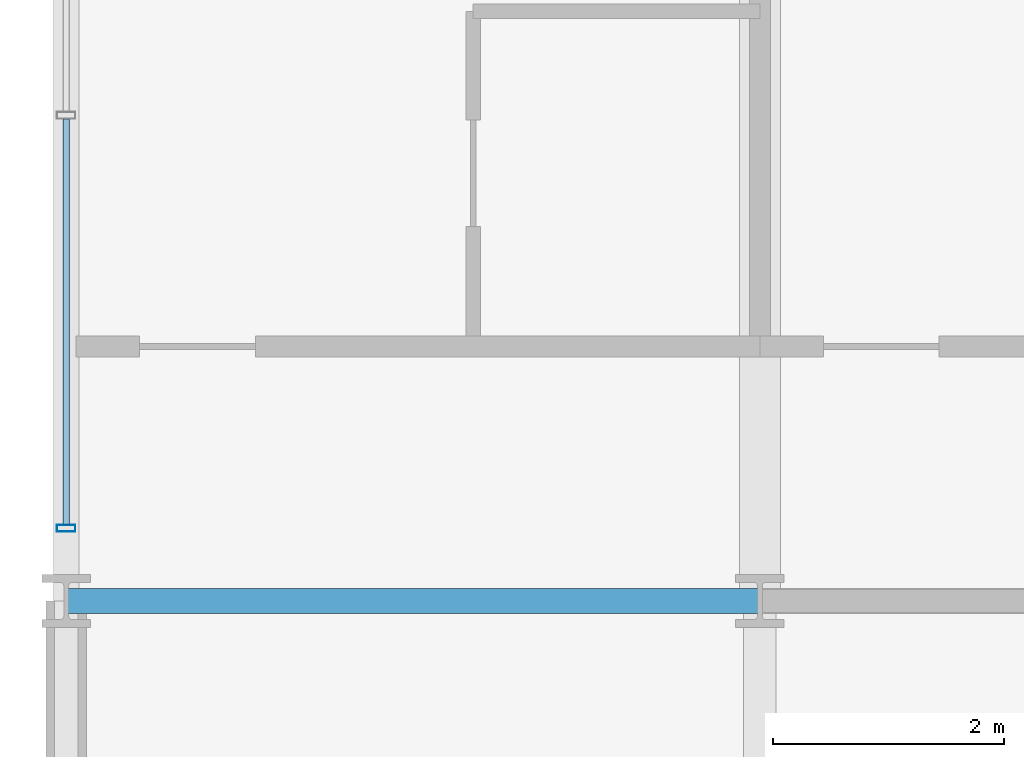
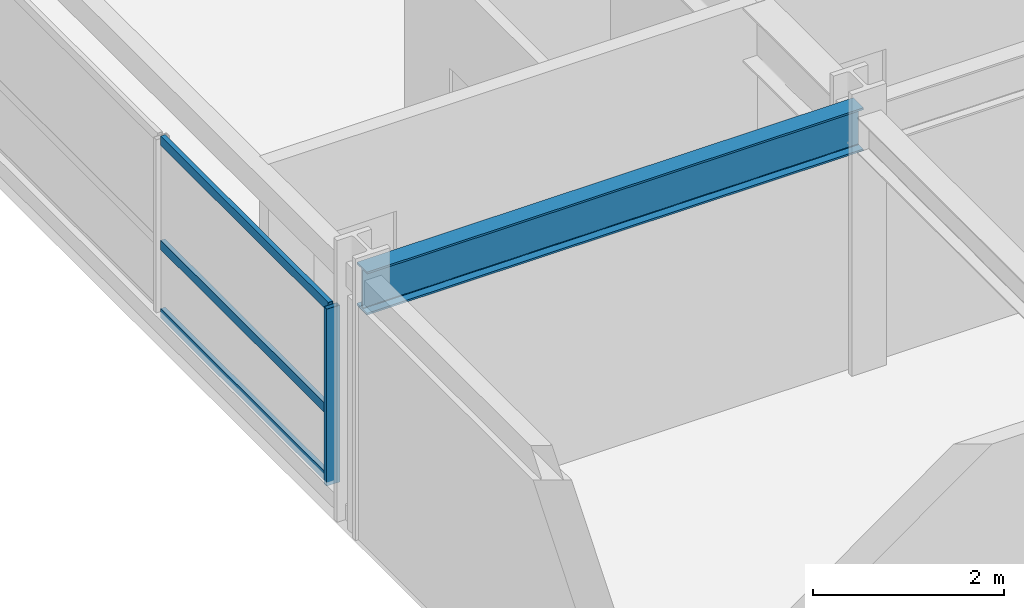
# One storey, part 6 of 26: 4 members, 1 beam, 1 element without a shape of its own.
"""IFC4 building model written with IfcOpenShell, lengths in metres."""

from ifc_helpers import new_model, si_unit, direction, frame, origin, origin_2d, place, context, subcontext, project, spatial, hollow_rectangle, i_section, extrude, material, material_profile, profile_set, type_object, element, aggregate, save


model = new_model("IFC4")

# Units and contexts
model_context = context("Model", 3, precision=1e-05, world=origin(), true_north=direction((0.0, 1.0)))
body_context = subcontext(model_context, "Body", "Model", "MODEL_VIEW")
ifc_project = project(units=[si_unit("LENGTHUNIT", "METRE"), si_unit("AREAUNIT", "SQUARE_METRE"), si_unit("VOLUMEUNIT", "CUBIC_METRE"), si_unit("PLANEANGLEUNIT", "RADIAN"), si_unit("MASSUNIT", "GRAM", prefix="KILO")], contexts=[model_context])

# Site, building, storey
site_placement = place(None, origin())
site = spatial("IfcSite", under=ifc_project, at=site_placement, CompositionType="ELEMENT")
building_placement = place(site_placement, origin())
building = spatial("IfcBuilding", under=site, at=building_placement, Name="Kaldorvane Square Convention Centre", CompositionType="ELEMENT")
storey_placement = place(building_placement, frame((0.0, 0.0, 45.600006103515625)))
storey = spatial("IfcBuildingStorey", under=building, at=storey_placement, Name="L10", CompositionType="ELEMENT", Elevation=45.600006103515625)

# Beam
ifc_material_1 = material(Name="Steel ASTM A992 Gr. 50", Category="steel")
ifc_material_profile_1 = material_profile(ifc_material_1, i_section(OverallWidth=0.213897705078125, OverallDepth=0.549102783203125, WebThickness=0.0146942138671875, FlangeThickness=0.0236053466796875, FilletRadius=0.0126953125, at=origin_2d()), Name="W21X93")
ifc_profile_set_1 = profile_set([ifc_material_profile_1], Name="Steel ASTM A992 Gr. 50")
beam_type = type_object("IfcBeamType", Name="BM-GR-W21X93", PredefinedType="BEAM", material=ifc_profile_set_1)
beam_placement = place(storey_placement, frame((24.0, 105.0, 3.0114898681640625), z_axis=(1.0, 0.0, 0.0), x_axis=(0.0, 1.0, 0.0)))
element("IfcBeam", 1, at=beam_placement, inside=storey, type_object=beam_type, Name="Primary Girder (L10)", PredefinedType="BEAM", context=body_context, shape_type="SweptSolid", body=[
    extrude(i_section(OverallWidth=0.213897705078125, OverallDepth=0.549102783203125, WebThickness=0.0146942138671875, FlangeThickness=0.0236053466796875, FilletRadius=0.0126953125, at=origin_2d()), origin(), (0.0, 0.0, 1.0), 6.0),
])

# Curtain wall, members
ifc_material_2 = material(Name="Anodized Aluminum and Low-E Insulated Glazing", Category="aluminium")
curtain_wall_type = type_object("IfcCurtainWallType", Name="CW-UNI-HTL-B", PredefinedType="USERDEFINED", material=ifc_material_2)
curtain_wall_placement = place(storey_placement, origin())
curtain_wall = element("IfcCurtainWall", 2, at=curtain_wall_placement, inside=storey, type_object=curtain_wall_type, Name="Curtain Wall CW-11 (L10)", ObjectType="UNITISED GLAZING", PredefinedType="USERDEFINED")
ifc_material_profile_2 = material_profile(ifc_material_2, hollow_rectangle(XDim=0.05999755859375, YDim=0.160003662109375, WallThickness=0.003204345703125, at=origin_2d()), Name="CWM-160X60")
ifc_profile_set_2 = profile_set([ifc_material_profile_2], Name="Anodized Aluminum and Low-E Insulated Glazing")
member_type_1 = type_object("IfcMemberType", Name="CW-MUL-160", PredefinedType="MULLION", material=ifc_profile_set_2)
member_1_placement = place(storey_placement, frame((24.0, 105.6300048828125, 0.149993896484375), z_axis=(0.0, 0.0, 1.0), x_axis=(0.0, -1.0, 0.0)))
member_1 = element("IfcMember", 3, at=member_1_placement, type_object=member_type_1, Name="CW-11 mullion 4", PredefinedType="MULLION", context=body_context, shape_type="SweptSolid", body=[
    extrude(hollow_rectangle(XDim=0.05999755859375, YDim=0.160003662109375, WallThickness=0.003204345703125, at=origin_2d()), origin(), (0.0, 0.0, 1.0), 2.2599945068359375),
])
ifc_material_profile_3 = material_profile(ifc_material_2, hollow_rectangle(XDim=0.05499267578125, YDim=0.1199951171875, WallThickness=0.0030059814453125, at=origin_2d()), Name="CWT-120X55")
ifc_profile_set_3 = profile_set([ifc_material_profile_3], Name="Anodized Aluminum and Low-E Insulated Glazing")
member_type_2 = type_object("IfcMemberType", Name="CW-TRN-120", PredefinedType="USERDEFINED", material=ifc_profile_set_3)
member_2_placement = place(storey_placement, frame((24.0, 109.16999816894531, 0.177490234375), z_axis=(0.0, -1.0, 0.0), x_axis=(1.0, 0.0, 0.0)))
member_2 = element("IfcMember", 4, at=member_2_placement, type_object=member_type_2, Name="CW-11 transom 3.1", ObjectType="TRANSOM", PredefinedType="USERDEFINED", context=body_context, shape_type="SweptSolid", body=[
    extrude(hollow_rectangle(XDim=0.05499267578125, YDim=0.1199951171875, WallThickness=0.0030059814453125, at=origin_2d()), origin(), (0.0, 0.0, 1.0), 3.5099945068359375),
])
member_3_placement = place(storey_placement, frame((24.0, 109.16999816894531, 1.04998779296875), z_axis=(0.0, -1.0, 0.0), x_axis=(1.0, 0.0, 0.0)))
member_3 = element("IfcMember", 5, at=member_3_placement, type_object=member_type_2, Name="CW-11 transom 3.2", ObjectType="TRANSOM", PredefinedType="USERDEFINED", context=body_context, shape_type="SweptSolid", body=[
    extrude(hollow_rectangle(XDim=0.05499267578125, YDim=0.1199951171875, WallThickness=0.0030059814453125, at=origin_2d()), origin(), (0.0, 0.0, 1.0), 3.5099945068359375),
])
member_4_placement = place(storey_placement, frame((24.0, 109.16999816894531, 2.3824920654296875), z_axis=(0.0, -1.0, 0.0), x_axis=(1.0, 0.0, 0.0)))
member_4 = element("IfcMember", 6, at=member_4_placement, type_object=member_type_2, Name="CW-11 transom 3.3", ObjectType="TRANSOM", PredefinedType="USERDEFINED", context=body_context, shape_type="SweptSolid", body=[
    extrude(hollow_rectangle(XDim=0.05499267578125, YDim=0.1199951171875, WallThickness=0.0030059814453125, at=origin_2d()), origin(), (0.0, 0.0, 1.0), 3.5099945068359375),
])
aggregate(curtain_wall, [member_1, member_2, member_3, member_4])

save(model, "model.ifc")
